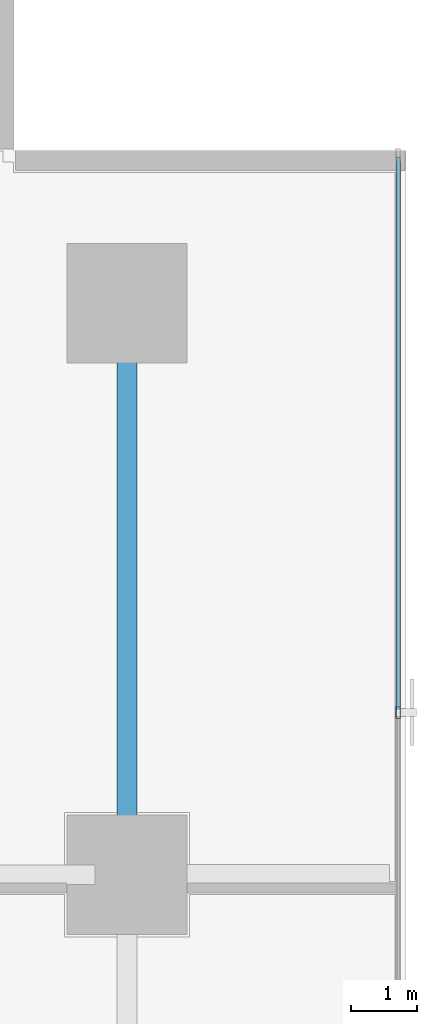
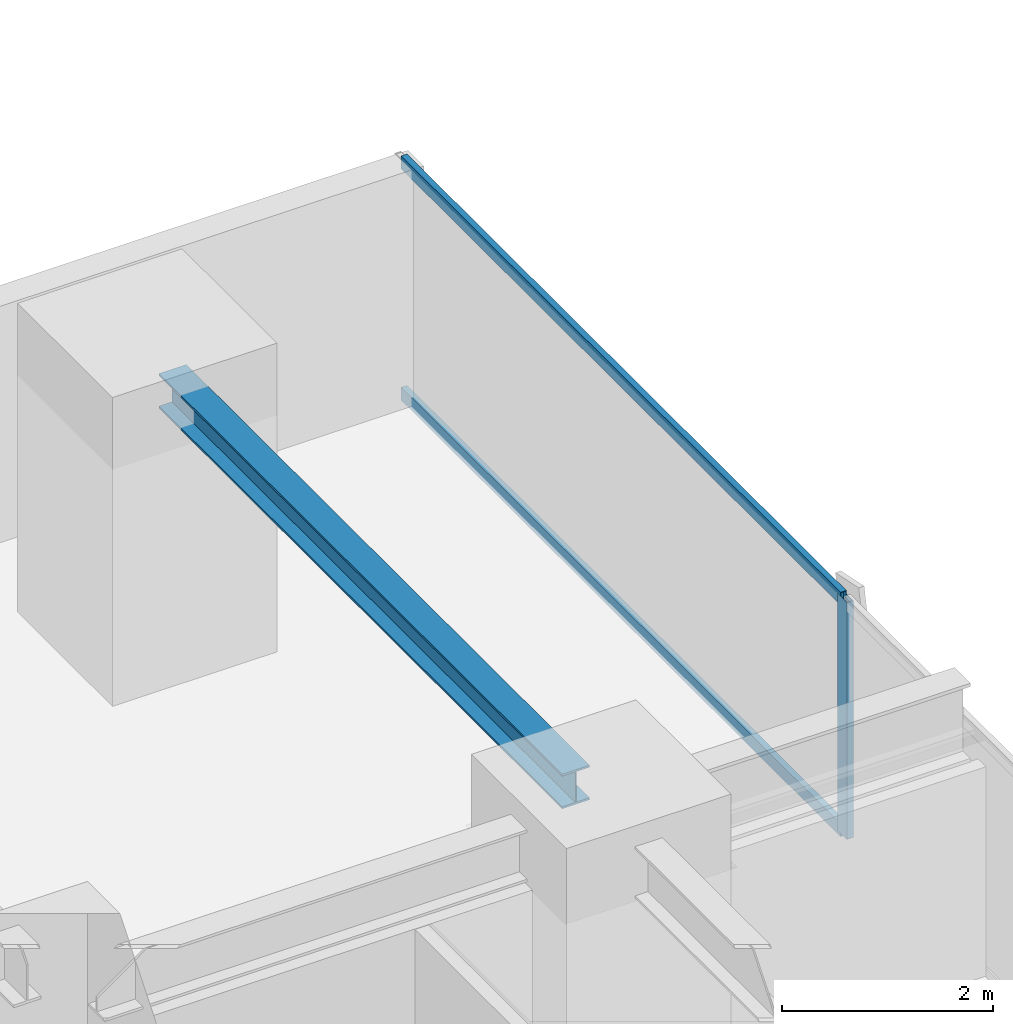
# One storey, part 20 of 32: 3 members, 1 beam, 1 element without a shape of its own.
"""IFC4 building model written with IfcOpenShell, lengths in metres."""

from ifc_helpers import new_model, si_unit, direction, frame, origin, origin_2d, place, context, subcontext, project, spatial, hollow_rectangle, i_section, extrude, source, transform, mapped, material, layer, layer_set, material_profile, profile_set, type_object, element, aggregate, save


model = new_model("IFC4")

# Units and contexts
model_context = context("Model", 3, precision=1e-05, world=origin(), true_north=direction((0.0, 1.0)))
body_context = subcontext(model_context, "Body", "Model", "MODEL_VIEW")
ifc_project = project(units=[si_unit("LENGTHUNIT", "METRE"), si_unit("AREAUNIT", "SQUARE_METRE"), si_unit("VOLUMEUNIT", "CUBIC_METRE"), si_unit("PLANEANGLEUNIT", "RADIAN"), si_unit("MASSUNIT", "GRAM", prefix="KILO")], contexts=[model_context])

# Site, building, storey
site_placement = place(None, origin())
site = spatial("IfcSite", under=ifc_project, at=site_placement, CompositionType="ELEMENT")
building_placement = place(site_placement, origin())
building = spatial("IfcBuilding", under=site, at=building_placement, Name="Sumidabori Civic Tower", CompositionType="ELEMENT")
storey_placement = place(building_placement, frame((0.0, 0.0, 48.800048828125)))
storey = spatial("IfcBuildingStorey", under=building, at=storey_placement, Name="L12", CompositionType="ELEMENT", Elevation=48.800048828125)

# Beam
ifc_material_1 = material(Name="Steel SN490", Category="steel")
ifc_material_profile_1 = material_profile(ifc_material_1, i_section(OverallWidth=0.300048828125, OverallDepth=0.39990234375, WebThickness=0.013427734375, FlangeThickness=0.02392578125, at=origin_2d()), Name="HE 400 B")
ifc_profile_set_1 = profile_set([ifc_material_profile_1], Name="Steel SN490")
beam_type = type_object("IfcBeamType", Name="BM-GIRD-400", PredefinedType="BEAM", material=ifc_profile_set_1)
shared_shape_1 = source(origin(), body_context, "Body", "SweptSolid", [
    extrude(i_section(OverallWidth=0.300048828125, OverallDepth=0.39990234375, WebThickness=0.013427734375, FlangeThickness=0.02392578125, at=origin_2d()), origin(), (0.0, 0.0, 1.0), 7.64013671875),
])
beam_placement = place(storey_placement, frame((22.800048828125, 10.679931640625, 3.159912109375), z_axis=(0.0, 1.0, 0.0), x_axis=(-1.0, 0.0, 0.0)))
element("IfcBeam", 1, at=beam_placement, inside=storey, type_object=beam_type, Name="Primary Girder L12 GY-42", PredefinedType="BEAM", context=body_context, shape_type="MappedRepresentation", body=[
    mapped(shared_shape_1, transform((0.0, 0.0, 0.0), x_axis=(1.0, 0.0, 0.0), y_axis=(0.0, 1.0, 0.0), z_axis=(0.0, 0.0, 1.0), scale=1.0)),
])

# Curtain wall, members
ifc_material_2 = material(Name="Anodised Bronze Aluminium AW-6063-T6", Category="aluminium")
ifc_layer = layer(ifc_material_2, 0.179931640625, Name="Anodised Bronze Aluminium AW-6063-T6")
ifc_layer_set = layer_set([ifc_layer], Name="Anodised Bronze Aluminium AW-6063-T6")
curtain_wall_type = type_object("IfcCurtainWallType", Name="CW-SYS-2", PredefinedType="NOTDEFINED", material=ifc_layer_set)
curtain_wall_placement = place(storey_placement, origin())
curtain_wall = element("IfcCurtainWall", 2, at=curtain_wall_placement, inside=storey, type_object=curtain_wall_type, Name="Curtain Wall CW:L12:R04", PredefinedType="NOTDEFINED")
ifc_material_profile_2 = material_profile(ifc_material_2, hollow_rectangle(XDim=0.070068359375, YDim=0.179931640625, WallThickness=0.006103515625, at=origin_2d()), Name="ALU MULLION 180x70")
ifc_profile_set_2 = profile_set([ifc_material_profile_2], Name="Anodised Bronze Aluminium AW-6063-T6")
member_type_1 = type_object("IfcMemberType", Name="CW-MUL-180", PredefinedType="MULLION", material=ifc_profile_set_2)
shared_shape_2 = source(origin(), body_context, "Body", "SweptSolid", [
    extrude(hollow_rectangle(XDim=0.070068359375, YDim=0.179931640625, WallThickness=0.006103515625, at=origin_2d()), origin(), (0.0, 0.0, 1.0), 2.739990234375),
])
member_1_placement = place(storey_placement, frame((26.8798828125, 12.64208984375, 0.0), z_axis=(0.0, 0.0, 1.0), x_axis=(-1.0, 0.0, 0.0)))
member_1 = element("IfcMember", 3, at=member_1_placement, type_object=member_type_1, Name="CW-2 mullion 5", PredefinedType="MULLION", context=body_context, shape_type="MappedRepresentation", body=[
    mapped(shared_shape_2, transform((0.0, 0.0, 0.0), x_axis=(1.0, 0.0, 0.0), y_axis=(0.0, 1.0, 0.0), z_axis=(0.0, 0.0, 1.0), scale=1.0)),
])
ifc_material_profile_3 = material_profile(ifc_material_2, hollow_rectangle(XDim=0.06494140625, YDim=0.14990234375, WallThickness=0.0048828125, at=origin_2d()), Name="ALU TRANSOM 150x65")
ifc_profile_set_3 = profile_set([ifc_material_profile_3], Name="Anodised Bronze Aluminium AW-6063-T6")
member_type_2 = type_object("IfcMemberType", Name="CW-TRN-150", PredefinedType="USERDEFINED", material=ifc_profile_set_3)
shared_shape_3 = source(origin(), body_context, "Body", "SweptSolid", [
    extrude(hollow_rectangle(XDim=0.06494140625, YDim=0.14990234375, WallThickness=0.0048828125, at=origin_2d()), origin(), (0.0, 0.0, 1.0), 8.322998046875),
])
member_2_placement = place(storey_placement, frame((26.8798828125, 12.677001953125, 0.032470703125), z_axis=(0.0, 1.0, 0.0), x_axis=(-1.0, 0.0, 0.0)))
member_2 = element("IfcMember", 4, at=member_2_placement, type_object=member_type_2, Name="CW-2 transom 5.1", ObjectType="TRANSOM", PredefinedType="USERDEFINED", context=body_context, shape_type="MappedRepresentation", body=[
    mapped(shared_shape_3, transform((0.0, 0.0, 0.0), x_axis=(1.0, 0.0, 0.0), y_axis=(0.0, 1.0, 0.0), z_axis=(0.0, 0.0, 1.0), scale=1.0)),
])
member_3_placement = place(storey_placement, frame((26.8798828125, 12.677001953125, 2.70751953125), z_axis=(0.0, 1.0, 0.0), x_axis=(-1.0, 0.0, 0.0)))
member_3 = element("IfcMember", 5, at=member_3_placement, type_object=member_type_2, Name="CW-2 transom 5.2", ObjectType="TRANSOM", PredefinedType="USERDEFINED", context=body_context, shape_type="MappedRepresentation", body=[
    mapped(shared_shape_3, transform((0.0, 0.0, 0.0), x_axis=(1.0, 0.0, 0.0), y_axis=(0.0, 1.0, 0.0), z_axis=(0.0, 0.0, 1.0), scale=1.0)),
])
aggregate(curtain_wall, [member_1, member_2, member_3])

save(model, "model.ifc")
